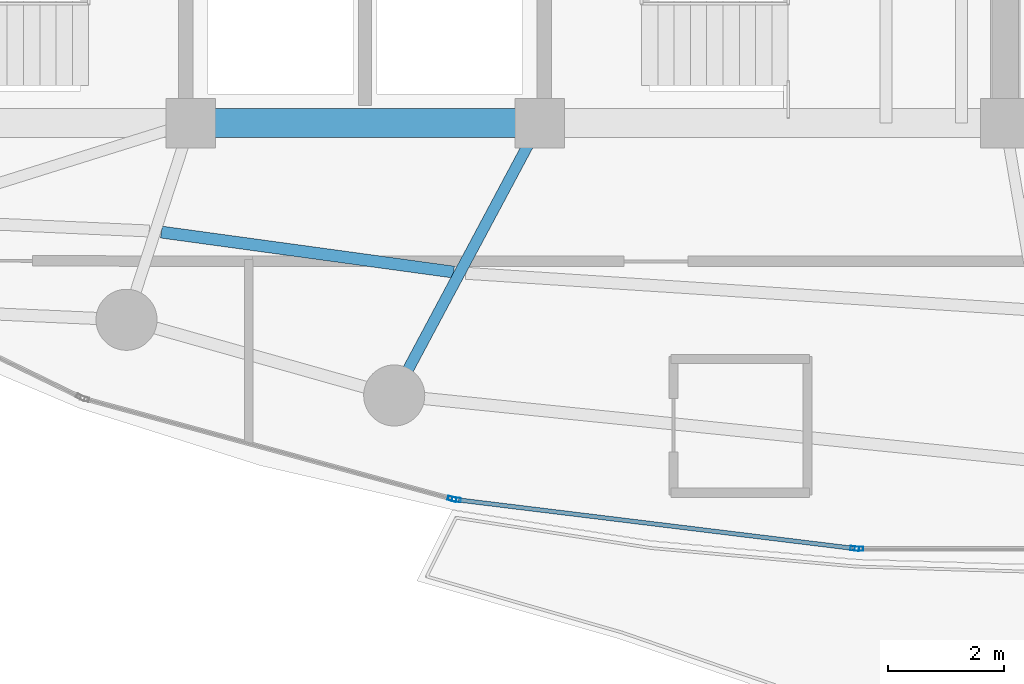
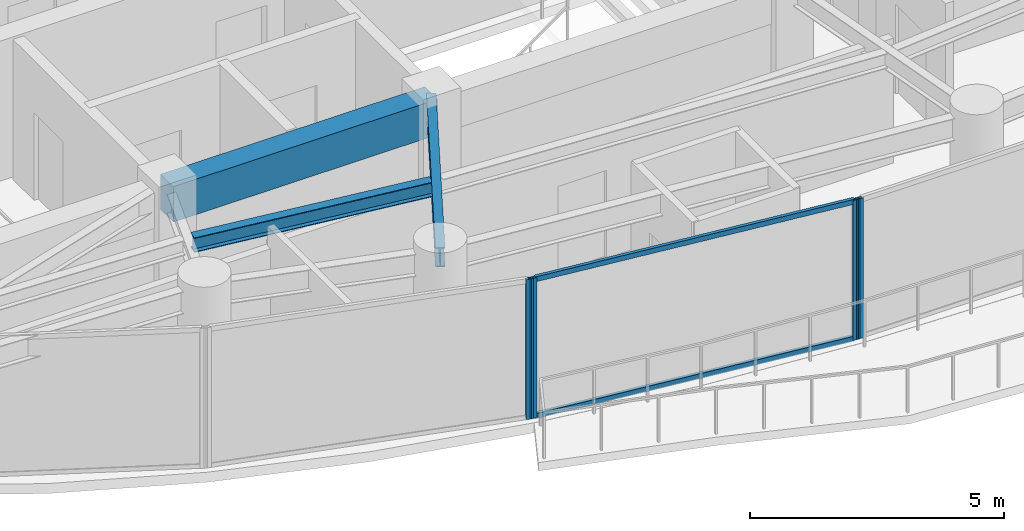
# One storey, part 5 of 29: 6 members, 3 beams, 3 elements without a shape of their own.
"""IFC4 building model written with IfcOpenShell, lengths in metres."""

from ifc_helpers import new_model, si_unit, direction, frame, origin, origin_2d, place, context, subcontext, project, spatial, rectangle, hollow_rectangle, i_section, extrude, material, layer, layer_set, material_profile, profile_set, type_object, element, aggregate, save


model = new_model("IFC4")

# Units and contexts
model_context = context("Model", 3, precision=1e-05, world=origin(), true_north=direction((0.0, 1.0)))
body_context = subcontext(model_context, "Body", "Model", "MODEL_VIEW")
ifc_project = project(units=[si_unit("LENGTHUNIT", "METRE"), si_unit("AREAUNIT", "SQUARE_METRE"), si_unit("VOLUMEUNIT", "CUBIC_METRE"), si_unit("PLANEANGLEUNIT", "RADIAN"), si_unit("MASSUNIT", "GRAM", prefix="KILO")], contexts=[model_context])

# Site, building, storey
site_placement = place(None, origin())
site = spatial("IfcSite", under=ifc_project, at=site_placement, CompositionType="ELEMENT")
building_placement = place(site_placement, origin())
building = spatial("IfcBuilding", under=site, at=building_placement, Name="Kazevale Care Tower and Concert Hall", CompositionType="ELEMENT")
storey_placement = place(building_placement, frame((0.0, 0.0, 224.39990234375)))
storey = spatial("IfcBuildingStorey", under=building, at=storey_placement, Name="L59", CompositionType="ELEMENT", Elevation=224.39990234375)

# Curtain wall, member
ifc_material_1 = material(Name="Aluminium 6063-T6 and Low-E Glass", Category="aluminium")
ifc_layer = layer(ifc_material_1, 0.179931640625)
ifc_layer_set = layer_set([ifc_layer], Name="Aluminium 6063-T6 and Low-E Glass")
curtain_wall_type = type_object("IfcCurtainWallType", Name="Sheltered Concave Balcony Curtain Wall CW-5", PredefinedType="NOTDEFINED", material=ifc_layer_set)
curtain_wall_1_placement = place(storey_placement, origin())
curtain_wall_1 = element("IfcCurtainWall", 1, at=curtain_wall_1_placement, inside=storey, type_object=curtain_wall_type, Name="cw:L59:f06", PredefinedType="NOTDEFINED")
ifc_material_2 = material(Name="Aluminium 6063-T6", Category="aluminium")
ifc_material_profile_1 = material_profile(ifc_material_2, hollow_rectangle(XDim=0.074951171875, YDim=0.14990234375, WallThickness=0.00390625, at=origin_2d()), Name="ALU75x150x4")
ifc_profile_set_1 = profile_set([ifc_material_profile_1], Name="Aluminium 6063-T6")
member_type_1 = type_object("IfcMemberType", Name="CW-5 Mullion ALU75x150x4", PredefinedType="MULLION", material=ifc_profile_set_1)
member_1_placement = place(storey_placement, frame((41.487548828125, 16.284912109375, 0.0), z_axis=(0.0, 0.0, 1.0), x_axis=(0.0, -1.0, 0.0)))
member_1 = element("IfcMember", 2, at=member_1_placement, type_object=member_type_1, Name="CW-5 mullion 2", PredefinedType="MULLION", context=body_context, shape_type="SweptSolid", body=[
    extrude(hollow_rectangle(XDim=0.074951171875, YDim=0.14990234375, WallThickness=0.00390625, at=origin_2d()), origin(), (0.0, 0.0, 1.0), 3.360107421875),
])
aggregate(curtain_wall_1, [member_1])

# Curtain wall, members
curtain_wall_2_placement = place(storey_placement, origin())
curtain_wall_2 = element("IfcCurtainWall", 3, at=curtain_wall_2_placement, inside=storey, type_object=curtain_wall_type, Name="cw:L59:f07", PredefinedType="NOTDEFINED")
member_2_placement = place(storey_placement, frame((41.412841796875, 16.28955078125, 0.0), z_axis=(0.0, 0.0, 1.0), x_axis=(-0.121650797964, -0.992572961225, 0.0)))
member_2 = element("IfcMember", 4, at=member_2_placement, type_object=member_type_1, Name="CW-5 mullion 1", PredefinedType="MULLION", context=body_context, shape_type="SweptSolid", body=[
    extrude(hollow_rectangle(XDim=0.074951171875, YDim=0.14990234375, WallThickness=0.00390625, at=origin_2d()), origin(), (0.0, 0.0, 1.0), 3.360107421875),
])
member_3_placement = place(storey_placement, frame((34.568115234375, 17.12841796875, 0.0), z_axis=(0.0, 0.0, 1.0), x_axis=(-0.121650797964, -0.992572961225, 0.0)))
member_3 = element("IfcMember", 5, at=member_3_placement, type_object=member_type_1, Name="CW-5 mullion 2", PredefinedType="MULLION", context=body_context, shape_type="SweptSolid", body=[
    extrude(hollow_rectangle(XDim=0.074951171875, YDim=0.14990234375, WallThickness=0.00390625, at=origin_2d()), origin(), (0.0, 0.0, 1.0), 3.360107421875),
])

# Curtain wall, member
curtain_wall_3_placement = place(storey_placement, origin())
curtain_wall_3 = element("IfcCurtainWall", 6, at=curtain_wall_3_placement, inside=storey, type_object=curtain_wall_type, Name="cw:L59:f08", PredefinedType="NOTDEFINED")
member_4_placement = place(storey_placement, frame((34.494873046875, 17.142822265625, 0.0), z_axis=(0.0, 0.0, 1.0), x_axis=(-0.262848968947, -0.964836991167, 0.0)))
member_4 = element("IfcMember", 7, at=member_4_placement, type_object=member_type_1, Name="CW-5 mullion 1", PredefinedType="MULLION", context=body_context, shape_type="SweptSolid", body=[
    extrude(hollow_rectangle(XDim=0.074951171875, YDim=0.14990234375, WallThickness=0.00390625, at=origin_2d()), origin(), (0.0, 0.0, 1.0), 3.360107421875),
])
aggregate(curtain_wall_3, [member_4])

# Member
ifc_material_profile_2 = material_profile(ifc_material_2, hollow_rectangle(XDim=0.074951171875, YDim=0.1201171875, WallThickness=0.00390625, at=origin_2d()), Name="ALU75x120x4")
ifc_profile_set_2 = profile_set([ifc_material_profile_2], Name="Aluminium 6063-T6")
member_type_2 = type_object("IfcMemberType", Name="CW-5 Transom ALU75x120x4", PredefinedType="USERDEFINED", material=ifc_profile_set_2)
member_5_placement = place(storey_placement, frame((41.37548828125, 16.294189453125, 0.03759765625), z_axis=(-0.992575633306, 0.121628993941, 0.0), x_axis=(-0.121628993941, -0.992575633306, 0.0)))
member_5 = element("IfcMember", 8, at=member_5_placement, type_object=member_type_2, Name="CW-5 transom 1.1", ObjectType="TRANSOM", PredefinedType="USERDEFINED", context=body_context, shape_type="SweptSolid", body=[
    extrude(hollow_rectangle(XDim=0.074951171875, YDim=0.1201171875, WallThickness=0.00390625, at=origin_2d()), origin(), (0.0, 0.0, 1.0), 6.820556640625),
])

member_6_placement = place(storey_placement, frame((41.37548828125, 16.294189453125, 3.322509765625), z_axis=(-0.992575633306, 0.121628993941, 0.0), x_axis=(-0.121628993941, -0.992575633306, 0.0)))
member_6 = element("IfcMember", 9, at=member_6_placement, type_object=member_type_2, Name="CW-5 transom 1.2", ObjectType="TRANSOM", PredefinedType="USERDEFINED", context=body_context, shape_type="SweptSolid", body=[
    extrude(hollow_rectangle(XDim=0.074951171875, YDim=0.1201171875, WallThickness=0.00390625, at=origin_2d()), origin(), (0.0, 0.0, 1.0), 6.820556640625),
])

aggregate(curtain_wall_2, [member_2, member_3, member_5, member_6])

# Beams
ifc_material_3 = material(Name="Concrete C60", Category="concrete")
ifc_material_profile_3 = material_profile(ifc_material_3, rectangle(XDim=0.5, YDim=0.85009765625, at=origin_2d()), Name="RC-B500x850")
ifc_profile_set_3 = profile_set([ifc_material_profile_3], Name="Concrete C60")
beam_type_1 = type_object("IfcBeamType", Name="Core Coupling Beam RC500x850", PredefinedType="LINTEL", material=ifc_profile_set_3)
beam_1_placement = place(storey_placement, frame((30.0, 23.60009765625, 2.93505859375), z_axis=(1.0, 0.0, 0.0), x_axis=(0.0, 1.0, 0.0)))
element("IfcBeam", 10, at=beam_1_placement, inside=storey, type_object=beam_type_1, Name="beam:L59:coretie:2", PredefinedType="LINTEL", context=body_context, shape_type="SweptSolid", body=[
    extrude(rectangle(XDim=0.5, YDim=0.85009765625, at=origin_2d()), origin(), (0.0, 0.0, 1.0), 6.0),
])
ifc_material_4 = material(Name="Steel ASTM A572 Gr 50", Category="steel")
ifc_material_profile_4 = material_profile(ifc_material_4, i_section(OverallWidth=0.19091796875, OverallDepth=0.4599609375, WebThickness=0.010009765625, FlangeThickness=0.01611328125, at=origin_2d()), Name="W460x82")
ifc_profile_set_4 = profile_set([ifc_material_profile_4], Name="Steel ASTM A572 Gr 50")
beam_type_2 = type_object("IfcBeamType", Name="Radial Floor Beam W460x82", PredefinedType="BEAM", material=ifc_profile_set_4)
beam_2_placement = place(storey_placement, frame((36.0, 23.60009765625, 3.130126953125), z_axis=(-0.471161293943, -0.88204707079, 0.0), x_axis=(0.88204707079, -0.471161293943, 0.0)))
element("IfcBeam", 11, at=beam_2_placement, inside=storey, type_object=beam_type_2, Name="beam:L59:rad:12", PredefinedType="BEAM", context=body_context, shape_type="SweptSolid", body=[
    extrude(i_section(OverallWidth=0.19091796875, OverallDepth=0.4599609375, WebThickness=0.010009765625, FlangeThickness=0.01611328125, at=origin_2d()), origin(), (0.0, 0.0, 1.0), 5.30615234375),
])
ifc_material_profile_5 = material_profile(ifc_material_4, i_section(OverallWidth=0.205078125, OverallDepth=0.35400390625, WebThickness=0.009521484375, FlangeThickness=0.016845703125, at=origin_2d()), Name="W360x79")
ifc_profile_set_5 = profile_set([ifc_material_profile_5], Name="Steel ASTM A572 Gr 50")
beam_type_3 = type_object("IfcBeamType", Name="Secondary Floor Joist W360x79", PredefinedType="JOIST", material=ifc_profile_set_5)
beam_3_placement = place(storey_placement, frame((29.4990234375, 21.72705078125, 3.18310546875), z_axis=(0.990772043119, -0.13553877148, 0.0), x_axis=(0.13553877148, 0.990772043119, 0.0)))
element("IfcBeam", 12, at=beam_3_placement, inside=storey, type_object=beam_type_3, Name="beam:L59:joist:11", PredefinedType="JOIST", context=body_context, shape_type="SweptSolid", body=[
    extrude(i_section(OverallWidth=0.205078125, OverallDepth=0.35400390625, WebThickness=0.009521484375, FlangeThickness=0.016845703125, at=origin_2d()), origin(), (0.0, 0.0, 1.0), 5.06884765625),
])

save(model, "model.ifc")
